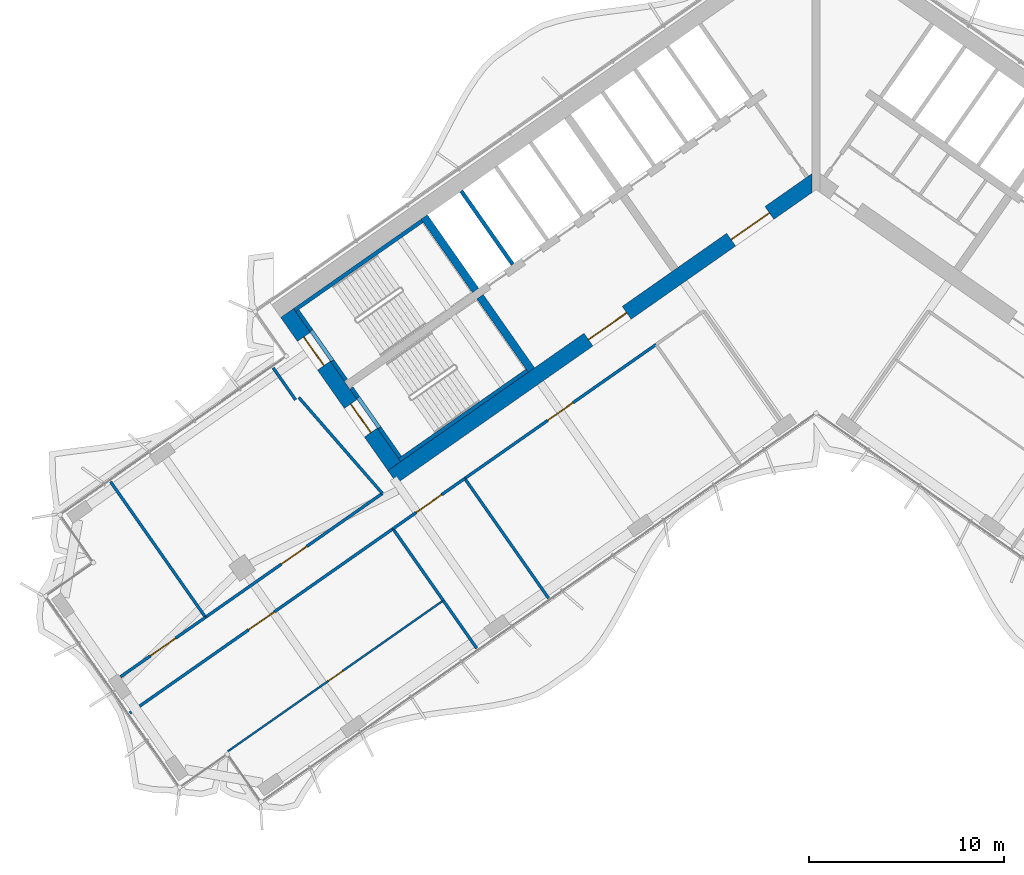
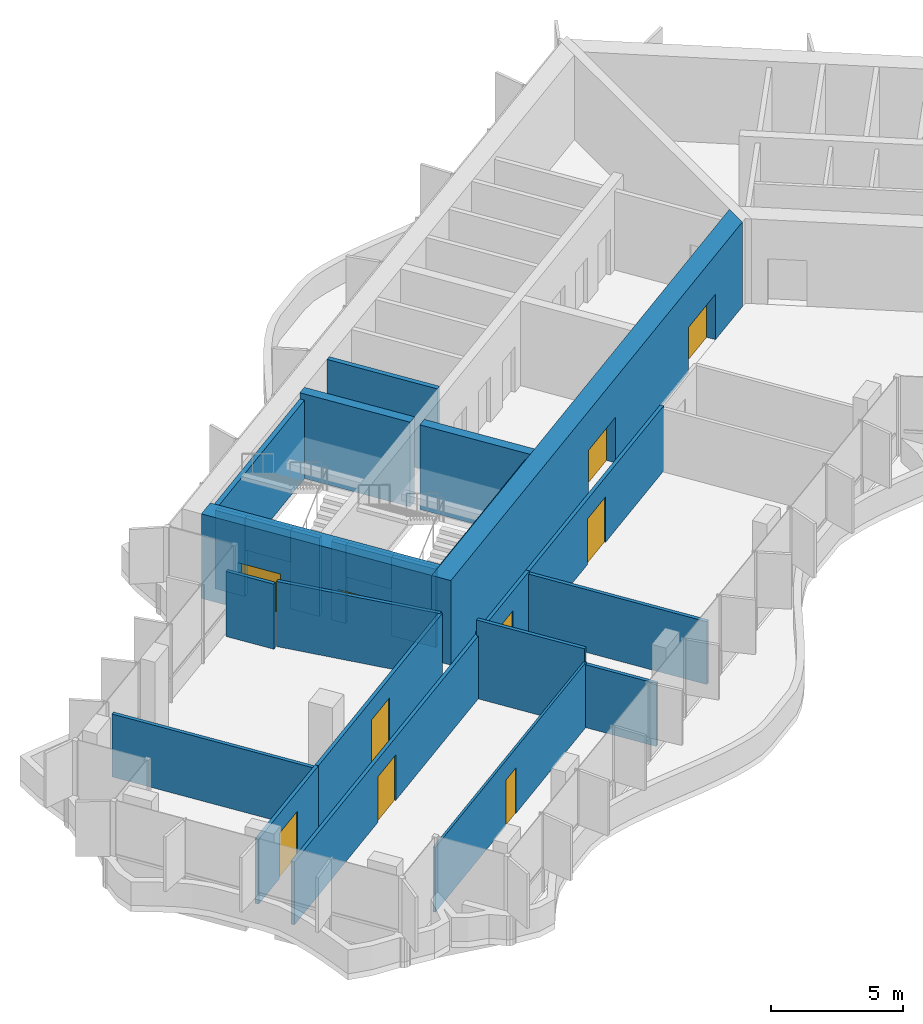
# One storey, part 12 of 21: 25 walls, 10 doors, 10 openings.
"""IFC4 building model written with IfcOpenShell, lengths in metres."""

from ifc_helpers import new_model, si_unit, direction, frame, frame_2d, origin, place, context, subcontext, project, spatial, polyline, rectangle, outline, extrude, material, layer, layer_set, type_object, element, fill, save


model = new_model("IFC4")

# Units and contexts
model_context = context("Model", 3, precision=1e-05, world=origin(), true_north=direction((0.0, 1.0)))
body_context = subcontext(model_context, "Body", "Model", "MODEL_VIEW")
ifc_project = project(units=[si_unit("LENGTHUNIT", "METRE"), si_unit("AREAUNIT", "SQUARE_METRE"), si_unit("VOLUMEUNIT", "CUBIC_METRE"), si_unit("PLANEANGLEUNIT", "RADIAN"), si_unit("MASSUNIT", "GRAM", prefix="KILO")], contexts=[model_context])

# Site, building, storey
site_placement = place(None, origin())
site = spatial("IfcSite", under=ifc_project, at=site_placement, CompositionType="ELEMENT")
building_placement = place(site_placement, origin())
building = spatial("IfcBuilding", under=site, at=building_placement, Name="Tel Ilan Convention Tower", CompositionType="ELEMENT")
storey_placement = place(building_placement, frame((0.0, 0.0, 147.60009765625)))
storey = spatial("IfcBuildingStorey", under=building, at=storey_placement, Name="L33", CompositionType="ELEMENT", Elevation=147.60009765625)

# Walls
ifc_material_1 = material(Name="Concrete C50/60", Category="concrete")
ifc_layer_1 = layer(ifc_material_1, 0.39990234375)
ifc_layer_set_1 = layer_set([ifc_layer_1], Name="Core Shear Wall 400 mm C50/60")
wall_type_1 = type_object("IfcWallType", Name="Core Shear Wall 400 mm C50/60", PredefinedType="SHEAR", material=ifc_layer_set_1)
wall_1_placement = place(storey_placement, frame((-14.6298828125, -10.48828125, 0.0), z_axis=(0.0, 0.0, 1.0), x_axis=(-0.573611936273, 0.819127185829, 0.0)))
element("IfcWall", 1, at=wall_1_placement, inside=storey, type_object=wall_type_1, Name="L33 core wall W-cross2-1", PredefinedType="SHEAR", context=body_context, shape_type="SweptSolid", body=[
    extrude(outline(polyline([(4.60009765625, 0.199951171875), (0.000244140625, 0.2001953125), (0.000244140625, -0.199951171875), (4.60009765625, -0.2001953125), (4.60009765625, 0.199951171875)])), origin(), (0.0, 0.0, 1.0), 3.89990234375),
])
wall_2_placement = place(storey_placement, frame((-17.497802734375, -6.392333984375, 0.0), z_axis=(0.0, 0.0, 1.0), x_axis=(-0.573611936273, 0.819127185829, 0.0)))
element("IfcWall", 2, at=wall_2_placement, inside=storey, type_object=wall_type_1, Name="L33 core wall W-cross2-2", PredefinedType="SHEAR", context=body_context, shape_type="SweptSolid", body=[
    extrude(outline(polyline([(4.599853515625, -0.2001953125), (4.599853515625, 0.199951171875), (0.0, 0.2001953125), (0.0, -0.199951171875), (4.599853515625, -0.2001953125)])), origin(), (0.0, 0.0, 1.0), 3.89990234375),
])

# Wall, openings, doors
ifc_material_2 = material(Name="Concrete C50/60", Category="concrete")
ifc_layer_2 = layer(ifc_material_2, 0.800048828125)
ifc_layer_set_2 = layer_set([ifc_layer_2], Name="Core Shear Wall 800 mm C50/60")
wall_type_2 = type_object("IfcWallType", Name="Core Shear Wall 800 mm C50/60", PredefinedType="SHEAR", material=ifc_layer_set_2)
wall_3_placement = place(storey_placement, frame((0.029296875, -0.7119140625, 0.0), z_axis=(0.0, 0.0, 1.0), x_axis=(-0.819151758019, -0.573576845187, 0.0)))
wall_3 = element("IfcWall", 3, at=wall_3_placement, inside=storey, type_object=wall_type_2, Name="L33 core wall W-front", PredefinedType="SHEAR", context=body_context, shape_type="SweptSolid", body=[
    extrude(outline(polyline([(26.61572265625, 0.39990234375), (0.56005859375, 0.39990234375), (-0.000244140625, -0.39990234375), (26.61572265625, -0.39990234375), (26.61572265625, 0.39990234375)])), origin(), (0.0, 0.0, 1.0), 3.89990234375),
])
opening_1_placement = place(wall_3_placement, frame((2.9658203125, 0.0, 0.0)))
opening_1 = element("IfcOpeningElement", 4, at=opening_1_placement, cuts=wall_3, Name="Opening CD2705", PredefinedType="OPENING", context=body_context, shape_type="SweptSolid", body=[
    extrude(rectangle(XDim=2.39990234375, YDim=2.10009765625, at=frame_2d((1.199951171875, 1.050048828125))), frame((0.0, 0.409912109375, 0.0), z_axis=(0.0, -1.0, 0.0), x_axis=(1.0, 0.0, 0.0)), (0.0, 0.0, 1.0), 0.820068359375),
])
opening_2_placement = place(wall_3_placement, frame((11.915771484375, 0.0, 0.0)))
opening_2 = element("IfcOpeningElement", 5, at=opening_2_placement, cuts=wall_3, Name="Opening CD2706", PredefinedType="OPENING", context=body_context, shape_type="SweptSolid", body=[
    extrude(rectangle(XDim=2.39990234375, YDim=2.10009765625, at=frame_2d((1.199951171875, 1.050048828125))), frame((0.0, 0.409912109375, 0.0), z_axis=(0.0, -1.0, 0.0), x_axis=(1.0, 0.0, 0.0)), (0.0, 0.0, 1.0), 0.820068359375),
])
ifc_material_3 = material(Name="Glazed Aluminium Door Leaf", Category="aluminium")
door_type_1 = type_object("IfcDoorType", Name="Lobby Opening Door 2400 x 2100 FD60S", OperationType="NOTDEFINED", PredefinedType="DOOR", material=ifc_material_3)
door_1_placement = place(opening_1_placement, origin())
door_1 = element("IfcDoor", 6, at=door_1_placement, inside=storey, type_object=door_type_1, Name="Lift Lobby LR1-LR4 opening", OperationType="DOUBLE_DOOR_SINGLE_SWING", OverallHeight=2.10009765625, OverallWidth=2.39990234375, PredefinedType="DOOR", context=body_context, shape_type="SweptSolid", body=[
    extrude(rectangle(XDim=2.39990234375, YDim=2.10009765625, at=frame_2d((1.199951171875, 1.050048828125))), frame((0.0, 0.02490234375, 0.0), z_axis=(0.0, -1.0, 0.0), x_axis=(1.0, 0.0, 0.0)), (0.0, 0.0, 1.0), 0.050048828125),
])
fill(opening_1, door_1)
door_2_placement = place(opening_2_placement, origin())
door_2 = element("IfcDoor", 7, at=door_2_placement, inside=storey, type_object=door_type_1, Name="Lift Lobby LR5-LR8 opening", OperationType="DOUBLE_DOOR_SINGLE_SWING", OverallHeight=2.10009765625, OverallWidth=2.39990234375, PredefinedType="DOOR", context=body_context, shape_type="SweptSolid", body=[
    extrude(rectangle(XDim=2.39990234375, YDim=2.10009765625, at=frame_2d((1.199951171875, 1.050048828125))), frame((0.0, 0.02490234375, 0.0), z_axis=(0.0, -1.0, 0.0), x_axis=(1.0, 0.0, 0.0)), (0.0, 0.0, 1.0), 0.050048828125),
])
fill(opening_2, door_2)

wall_4_placement = place(storey_placement, frame((-21.6748046875, -15.4208984375, 0.0), z_axis=(0.0, 0.0, 1.0), x_axis=(-0.573581815061, 0.819148278049, 0.0)))
wall_4 = element("IfcWall", 8, at=wall_4_placement, inside=storey, type_object=wall_type_2, Name="L33 core wall W-end", PredefinedType="SHEAR", context=body_context, shape_type="SweptSolid", body=[
    extrude(outline(polyline([(0.0, 0.39990234375), (0.0, -0.39990234375), (9.599853515625, -0.400146484375), (9.599853515625, 0.39990234375), (0.0, 0.39990234375)])), origin(), (0.0, 0.0, 1.0), 3.89990234375),
])
opening_3_placement = place(wall_4_placement, frame((6.300048828125, 0.0, 0.0)))
opening_3 = element("IfcOpeningElement", 9, at=opening_3_placement, cuts=wall_4, Name="Opening SD2701", PredefinedType="OPENING", context=body_context, shape_type="SweptSolid", body=[
    extrude(rectangle(XDim=1.800048828125, YDim=2.10009765625, at=frame_2d((0.89990234375, 1.050048828125))), frame((0.0, 0.409912109375, 0.0), z_axis=(0.0, -1.0, 0.0), x_axis=(1.0, 0.0, 0.0)), (0.0, 0.0, 1.0), 0.820068359375),
])
opening_4_placement = place(wall_4_placement, frame((2.10009765625, 0.0, 0.0)))
opening_4 = element("IfcOpeningElement", 10, at=opening_4_placement, cuts=wall_4, Name="Opening SD2702", PredefinedType="OPENING", context=body_context, shape_type="SweptSolid", body=[
    extrude(rectangle(XDim=1.800048828125, YDim=2.10009765625, at=frame_2d((0.89990234375, 1.050048828125))), frame((0.0, 0.409912109375, 0.0), z_axis=(0.0, -1.0, 0.0), x_axis=(1.0, 0.0, 0.0)), (0.0, 0.0, 1.0), 0.820068359375),
])
ifc_material_4 = material(Name="Galvanised Steel Door Leaf", Category="steel")
door_type_2 = type_object("IfcDoorType", Name="Stair Fire Door 1800 x 2100 FD60S", OperationType="NOTDEFINED", PredefinedType="DOOR", material=ifc_material_4)
door_3_placement = place(opening_3_placement, origin())
door_3 = element("IfcDoor", 11, at=door_3_placement, inside=storey, type_object=door_type_2, Name="Stair S1 door", OperationType="DOUBLE_DOOR_SINGLE_SWING", OverallHeight=2.10009765625, OverallWidth=1.800048828125, PredefinedType="DOOR", context=body_context, shape_type="SweptSolid", body=[
    extrude(rectangle(XDim=1.800048828125, YDim=2.10009765625, at=frame_2d((0.89990234375, 1.050048828125))), frame((0.0, 0.02490234375, 0.0), z_axis=(0.0, -1.0, 0.0), x_axis=(1.0, 0.0, 0.0)), (0.0, 0.0, 1.0), 0.050048828125),
])
fill(opening_3, door_3)
door_4_placement = place(opening_4_placement, origin())
door_4 = element("IfcDoor", 12, at=door_4_placement, inside=storey, type_object=door_type_2, Name="Stair S2 door", OperationType="DOUBLE_DOOR_SINGLE_SWING", OverallHeight=2.10009765625, OverallWidth=1.800048828125, PredefinedType="DOOR", context=body_context, shape_type="SweptSolid", body=[
    extrude(rectangle(XDim=1.800048828125, YDim=2.10009765625, at=frame_2d((0.89990234375, 1.050048828125))), frame((0.0, 0.02490234375, 0.0), z_axis=(0.0, -1.0, 0.0), x_axis=(1.0, 0.0, 0.0)), (0.0, 0.0, 1.0), 0.050048828125),
])
fill(opening_4, door_4)

# Wall, opening, door
ifc_material_5 = material(Name="Plasterboard on Steel Studs", Category="steel")
ifc_layer_3 = layer(ifc_material_5, 0.14990234375)
ifc_layer_set_3 = layer_set([ifc_layer_3], Name="Fire-rated Partition 150 EI 60")
wall_type_3 = type_object("IfcWallType", Name="Fire-rated Partition 150 EI 60", PredefinedType="PARTITIONING", material=ifc_layer_set_3)
wall_5_placement = place(storey_placement, frame((-31.37451171875, -23.190185546875, 0.0), z_axis=(0.0, 0.0, 1.0), x_axis=(0.819152339004, 0.573576015455, 0.0)))
wall_5 = element("IfcWall", 13, at=wall_5_placement, inside=storey, type_object=wall_type_3, Name="Partition 006", PredefinedType="PARTITIONING", context=body_context, shape_type="SweptSolid", body=[
    extrude(rectangle(XDim=11.0986328125, YDim=0.14990234375, at=frame_2d((5.54931640625, 0.0))), origin(), (0.0, 0.0, 1.0), 3.0),
])
opening_5_placement = place(wall_5_placement, frame((4.74951171875, 0.0, 0.0)))
opening_5 = element("IfcOpeningElement", 14, at=opening_5_placement, cuts=wall_5, Name="Opening L33-006", PredefinedType="OPENING", context=body_context, shape_type="SweptSolid", body=[
    extrude(rectangle(XDim=1.60009765625, YDim=2.10009765625, at=frame_2d((0.800048828125, 1.050048828125))), frame((0.0, 0.0849609375, 0.0), z_axis=(0.0, -1.0, 0.0), x_axis=(1.0, 0.0, 0.0)), (0.0, 0.0, 1.0), 0.169921875),
])
ifc_material_6 = material(Name="Timber Door Leaf in Steel Frame", Category="steel")
door_type_3 = type_object("IfcDoorType", Name="Tenant Suite Entrance Fire Door 1600x2100", OperationType="NOTDEFINED", PredefinedType="DOOR", material=ifc_material_6)
door_5_placement = place(opening_5_placement, origin())
door_5 = element("IfcDoor", 15, at=door_5_placement, inside=storey, type_object=door_type_3, Name="Door L33-006", OperationType="DOUBLE_DOOR_SINGLE_SWING", OverallHeight=2.10009765625, OverallWidth=1.60009765625, PredefinedType="DOOR", context=body_context, shape_type="SweptSolid", body=[
    extrude(rectangle(XDim=1.60009765625, YDim=2.10009765625, at=frame_2d((0.800048828125, 1.050048828125))), frame((0.0, 0.02490234375, 0.0), z_axis=(0.0, -1.0, 0.0), x_axis=(1.0, 0.0, 0.0)), (0.0, 0.0, 1.0), 0.050048828125),
])
fill(opening_5, door_5)

wall_6_placement = place(storey_placement, frame((-35.739013671875, -26.24658203125, 0.0), z_axis=(0.0, 0.0, 1.0), x_axis=(0.819145866886, 0.573585258495, 0.0)))
wall_6 = element("IfcWall", 16, at=wall_6_placement, inside=storey, type_object=wall_type_3, Name="Partition 007", PredefinedType="PARTITIONING", context=body_context, shape_type="SweptSolid", body=[
    extrude(rectangle(XDim=5.33203125, YDim=0.14990234375, at=frame_2d((2.666015625, 0.0))), origin(), (0.0, 0.0, 1.0), 3.0),
])
opening_6_placement = place(wall_6_placement, frame((1.865966796875, 0.0, 0.0)))
opening_6 = element("IfcOpeningElement", 17, at=opening_6_placement, cuts=wall_6, Name="Opening L33-007", PredefinedType="OPENING", context=body_context, shape_type="SweptSolid", body=[
    extrude(rectangle(XDim=1.60009765625, YDim=2.10009765625, at=frame_2d((0.800048828125, 1.050048828125))), frame((0.0, 0.0849609375, 0.0), z_axis=(0.0, -1.0, 0.0), x_axis=(1.0, 0.0, 0.0)), (0.0, 0.0, 1.0), 0.169921875),
])
door_6_placement = place(opening_6_placement, origin())
door_6 = element("IfcDoor", 18, at=door_6_placement, inside=storey, type_object=door_type_3, Name="Door L33-007", OperationType="DOUBLE_DOOR_SINGLE_SWING", OverallHeight=2.10009765625, OverallWidth=1.60009765625, PredefinedType="DOOR", context=body_context, shape_type="SweptSolid", body=[
    extrude(rectangle(XDim=1.60009765625, YDim=2.10009765625, at=frame_2d((0.800048828125, 1.050048828125))), frame((0.0, 0.02490234375, 0.0), z_axis=(0.0, -1.0, 0.0), x_axis=(1.0, 0.0, 0.0)), (0.0, 0.0, 1.0), 0.050048828125),
])
fill(opening_6, door_6)

wall_7_placement = place(storey_placement, frame((-8.22216796875, -9.17529296875, 0.0), z_axis=(0.0, 0.0, 1.0), x_axis=(-0.819154519377, -0.573572901543, 0.0)))
wall_7 = element("IfcWall", 19, at=wall_7_placement, inside=storey, type_object=wall_type_3, Name="Partition 009", PredefinedType="PARTITIONING", context=body_context, shape_type="SweptSolid", body=[
    extrude(rectangle(XDim=12.004150390625, YDim=0.14990234375, at=frame_2d((6.001953125, 0.0))), origin(), (0.0, 0.0, 1.0), 3.0),
])
opening_7_placement = place(wall_7_placement, frame((5.201904296875, 0.0, 0.0)))
opening_7 = element("IfcOpeningElement", 20, at=opening_7_placement, cuts=wall_7, Name="Opening L33-002", PredefinedType="OPENING", context=body_context, shape_type="SweptSolid", body=[
    extrude(rectangle(XDim=1.60009765625, YDim=2.10009765625, at=frame_2d((0.800048828125, 1.050048828125))), frame((0.0, 0.0849609375, 0.0), z_axis=(0.0, -1.0, 0.0), x_axis=(1.0, 0.0, 0.0)), (0.0, 0.0, 1.0), 0.169921875),
])
door_7_placement = place(opening_7_placement, origin())
door_7 = element("IfcDoor", 21, at=door_7_placement, inside=storey, type_object=door_type_3, Name="Door L33-002", OperationType="DOUBLE_DOOR_SINGLE_SWING", OverallHeight=2.10009765625, OverallWidth=1.60009765625, PredefinedType="DOOR", context=body_context, shape_type="SweptSolid", body=[
    extrude(rectangle(XDim=1.60009765625, YDim=2.10009765625, at=frame_2d((0.800048828125, 1.050048828125))), frame((0.0, 0.02490234375, 0.0), z_axis=(0.0, -1.0, 0.0), x_axis=(1.0, 0.0, 0.0)), (0.0, 0.0, 1.0), 0.050048828125),
])
fill(opening_7, door_7)

wall_8_placement = place(storey_placement, frame((-18.052001953125, -16.058349609375, 0.0), z_axis=(0.0, 0.0, 1.0), x_axis=(-0.819165703328, -0.573556928727, 0.0)))
wall_8 = element("IfcWall", 22, at=wall_8_placement, inside=storey, type_object=wall_type_3, Name="Partition 010", PredefinedType="PARTITIONING", context=body_context, shape_type="SweptSolid", body=[
    extrude(rectangle(XDim=4.50390625, YDim=0.14990234375, at=frame_2d((2.251953125, 0.0))), origin(), (0.0, 0.0, 1.0), 3.0),
])
opening_8_placement = place(wall_8_placement, frame((1.451904296875, 0.0, 0.0)))
opening_8 = element("IfcOpeningElement", 23, at=opening_8_placement, cuts=wall_8, Name="Opening L33-003", PredefinedType="OPENING", context=body_context, shape_type="SweptSolid", body=[
    extrude(rectangle(XDim=1.60009765625, YDim=2.10009765625, at=frame_2d((0.800048828125, 1.050048828125))), frame((0.0, 0.0849609375, 0.0), z_axis=(0.0, -1.0, 0.0), x_axis=(1.0, 0.0, 0.0)), (0.0, 0.0, 1.0), 0.169921875),
])
door_8_placement = place(opening_8_placement, origin())
door_8 = element("IfcDoor", 24, at=door_8_placement, inside=storey, type_object=door_type_3, Name="Door L33-003", OperationType="DOUBLE_DOOR_SINGLE_SWING", OverallHeight=2.10009765625, OverallWidth=1.60009765625, PredefinedType="DOOR", context=body_context, shape_type="SweptSolid", body=[
    extrude(rectangle(XDim=1.60009765625, YDim=2.10009765625, at=frame_2d((0.800048828125, 1.050048828125))), frame((0.0, 0.02490234375, 0.0), z_axis=(0.0, -1.0, 0.0), x_axis=(1.0, 0.0, 0.0)), (0.0, 0.0, 1.0), 0.050048828125),
])
fill(opening_8, door_8)

wall_9_placement = place(storey_placement, frame((-21.73828125, -18.639404296875, 0.0), z_axis=(0.0, 0.0, 1.0), x_axis=(-0.819152676681, -0.573575533201, 0.0)))
wall_9 = element("IfcWall", 25, at=wall_9_placement, inside=storey, type_object=wall_type_3, Name="Partition 011", PredefinedType="PARTITIONING", context=body_context, shape_type="SweptSolid", body=[
    extrude(rectangle(XDim=16.501953125, YDim=0.14990234375, at=frame_2d((8.2509765625, 0.0))), origin(), (0.0, 0.0, 1.0), 2.89990234375),
])
opening_9_placement = place(wall_9_placement, frame((7.450927734375, 0.0, 0.0)))
opening_9 = element("IfcOpeningElement", 26, at=opening_9_placement, cuts=wall_9, Name="Opening L33-004", PredefinedType="OPENING", context=body_context, shape_type="SweptSolid", body=[
    extrude(rectangle(XDim=1.60009765625, YDim=2.10009765625, at=frame_2d((0.800048828125, 1.050048828125))), frame((0.0, 0.0849609375, 0.0), z_axis=(0.0, -1.0, 0.0), x_axis=(1.0, 0.0, 0.0)), (0.0, 0.0, 1.0), 0.169921875),
])
door_9_placement = place(opening_9_placement, origin())
door_9 = element("IfcDoor", 27, at=door_9_placement, inside=storey, type_object=door_type_3, Name="Door L33-004", OperationType="DOUBLE_DOOR_SINGLE_SWING", OverallHeight=2.10009765625, OverallWidth=1.60009765625, PredefinedType="DOOR", context=body_context, shape_type="SweptSolid", body=[
    extrude(rectangle(XDim=1.60009765625, YDim=2.10009765625, at=frame_2d((0.800048828125, 1.050048828125))), frame((0.0, 0.02490234375, 0.0), z_axis=(0.0, -1.0, 0.0), x_axis=(1.0, 0.0, 0.0)), (0.0, 0.0, 1.0), 0.050048828125),
])
fill(opening_9, door_9)

# Walls
wall_10_placement = place(storey_placement, frame((-26.74609375, -12.013671875, 0.0), z_axis=(0.0, 0.0, 1.0), x_axis=(-0.573568836472, 0.819157365729, 0.0)))
element("IfcWall", 28, at=wall_10_placement, inside=storey, type_object=wall_type_3, Name="Partition 030", PredefinedType="PARTITIONING", context=body_context, shape_type="SweptSolid", body=[
    extrude(rectangle(XDim=2.000244140625, YDim=0.14990234375, at=frame_2d((1.0, 0.0))), origin(), (0.0, 0.0, 1.0), 3.0),
])
wall_11_placement = place(storey_placement, frame((-22.28369140625, -16.826416015625, 0.0), z_axis=(0.0, 0.0, 1.0), x_axis=(-0.656758142177, 0.754101281449, 0.0)))
element("IfcWall", 29, at=wall_11_placement, inside=storey, type_object=wall_type_3, Name="Partition 031", PredefinedType="PARTITIONING", context=body_context, shape_type="SweptSolid", body=[
    extrude(rectangle(XDim=6.53857421875, YDim=0.14990234375, at=frame_2d((3.269287109375, 0.0))), origin(), (0.0, 0.0, 1.0), 3.0),
])
wall_12_placement = place(storey_placement, frame((-31.373291015625, -23.188720703125, 0.0), z_axis=(0.0, 0.0, 1.0), x_axis=(-0.57357799764, 0.819150951061, 0.0)))
element("IfcWall", 30, at=wall_12_placement, inside=storey, type_object=wall_type_3, Name="Partition 032", PredefinedType="PARTITIONING", context=body_context, shape_type="SweptSolid", body=[
    extrude(rectangle(XDim=8.500244140625, YDim=0.14990234375, at=frame_2d((4.25, 0.0))), origin(), (0.0, 0.0, 1.0), 2.89990234375),
])
wall_13_placement = place(storey_placement, frame((-13.751708984375, -22.203125, 0.0), z_axis=(0.0, 0.0, 1.0), x_axis=(-0.573597787563, 0.819137093595, 0.0)))
element("IfcWall", 31, at=wall_13_placement, inside=storey, type_object=wall_type_3, Name="Partition 034", PredefinedType="PARTITIONING", context=body_context, shape_type="SweptSolid", body=[
    extrude(rectangle(XDim=7.5, YDim=0.14990234375, at=frame_2d((3.75, 0.0))), origin(), (0.0, 0.0, 1.0), 2.89990234375),
])
wall_14_placement = place(storey_placement, frame((-17.43798828125, -24.7841796875, 0.0), z_axis=(0.0, 0.0, 1.0), x_axis=(-0.573555162214, 0.819166940189, 0.0)))
element("IfcWall", 32, at=wall_14_placement, inside=storey, type_object=wall_type_3, Name="Partition 035", PredefinedType="PARTITIONING", context=body_context, shape_type="SweptSolid", body=[
    extrude(rectangle(XDim=3.0009765625, YDim=0.14990234375, at=frame_2d((1.50048828125, 0.0))), origin(), (0.0, 0.0, 1.0), 2.89990234375),
])
wall_15_placement = place(storey_placement, frame((-19.15771484375, -22.328369140625, 0.0), z_axis=(0.0, 0.0, 1.0), x_axis=(-0.573553333433, 0.819168220641, 0.0)))
element("IfcWall", 33, at=wall_15_placement, inside=storey, type_object=wall_type_3, Name="Partition 036", PredefinedType="PARTITIONING", context=body_context, shape_type="SweptSolid", body=[
    extrude(rectangle(XDim=4.501708984375, YDim=0.14990234375, at=frame_2d((2.2509765625, 0.0))), origin(), (0.0, 0.0, 1.0), 3.619873046875),
])
ifc_material_7 = material(Name="Concrete C30/37", Category="concrete")
ifc_layer_4 = layer(ifc_material_7, 0.199951171875)
ifc_layer_set_4 = layer_set([ifc_layer_4], Name="Lift Shaft Wall 200 mm C30/37")
wall_type_4 = type_object("IfcWallType", Name="Lift Shaft Wall 200 mm C30/37", PredefinedType="SOLIDWALL", material=ifc_layer_set_4)
wall_16_placement = place(storey_placement, frame((-15.593505859375, -5.058837890625, 0.0), z_axis=(0.0, 0.0, 1.0), x_axis=(-0.573540709186, 0.819177059558, 0.0)))
element("IfcWall", 34, at=wall_16_placement, inside=storey, type_object=wall_type_4, Name="L33 core wall bank-W2-p2", PredefinedType="SOLIDWALL", context=body_context, shape_type="SweptSolid", body=[
    extrude(rectangle(XDim=4.599853515625, YDim=0.199951171875, at=frame_2d((2.2998046875, 0.0))), origin(), (0.0, 0.0, 1.0), 3.89990234375),
])

# Wall, opening, door
ifc_material_8 = material(Name="Plasterboard on Steel Studs", Category="steel")
ifc_layer_5 = layer(ifc_material_8, 0.10009765625)
ifc_layer_set_5 = layer_set([ifc_layer_5], Name="Plasterboard Partition 100")
wall_type_5 = type_object("IfcWallType", Name="Plasterboard Partition 100", PredefinedType="PARTITIONING", material=ifc_layer_set_5)
wall_17_placement = place(storey_placement, frame((-19.158203125, -22.32763671875, 0.0), z_axis=(0.0, 0.0, 1.0), x_axis=(-0.819157147957, -0.573569147488, 0.0)))
wall_17 = element("IfcWall", 35, at=wall_17_placement, inside=storey, type_object=wall_type_5, Name="Partition 037", PredefinedType="PARTITIONING", context=body_context, shape_type="SweptSolid", body=[
    extrude(rectangle(XDim=13.5, YDim=0.10009765625, at=frame_2d((6.75, 0.0))), origin(), (0.0, 0.0, 1.0), 3.0),
])
opening_10_placement = place(wall_17_placement, frame((6.300048828125, 0.0, 0.0)))
opening_10 = element("IfcOpeningElement", 36, at=opening_10_placement, cuts=wall_17, Name="Opening L33-005", PredefinedType="OPENING", context=body_context, shape_type="SweptSolid", body=[
    extrude(rectangle(XDim=0.89990234375, YDim=2.10009765625, at=frame_2d((0.449951171875, 1.050048828125))), frame((0.0, 0.06005859375, 0.0), z_axis=(0.0, -1.0, 0.0), x_axis=(1.0, 0.0, 0.0)), (0.0, 0.0, 1.0), 0.1201171875),
])
ifc_material_9 = material(Name="Timber Door Leaf in Steel Frame", Category="steel")
door_type_4 = type_object("IfcDoorType", Name="Room Timber Door 900x2100", OperationType="NOTDEFINED", PredefinedType="DOOR", material=ifc_material_9)
door_10_placement = place(opening_10_placement, origin())
door_10 = element("IfcDoor", 37, at=door_10_placement, inside=storey, type_object=door_type_4, Name="Door L33-005", OperationType="SINGLE_SWING_LEFT", OverallHeight=2.10009765625, OverallWidth=0.89990234375, PredefinedType="DOOR", context=body_context, shape_type="SweptSolid", body=[
    extrude(rectangle(XDim=0.89990234375, YDim=2.10009765625, at=frame_2d((0.449951171875, 1.050048828125))), frame((0.0, 0.02490234375, 0.0), z_axis=(0.0, -1.0, 0.0), x_axis=(1.0, 0.0, 0.0)), (0.0, 0.0, 1.0), 0.050048828125),
])
fill(opening_10, door_10)

# Walls
ifc_material_10 = material(Name="Concrete C30/37", Category="concrete")
ifc_layer_6 = layer(ifc_material_10, 0.199951171875)
ifc_layer_set_6 = layer_set([ifc_layer_6], Name="Stair and Shaft Lining Wall 200 mm C30/37")
wall_type_6 = type_object("IfcWallType", Name="Stair and Shaft Lining Wall 200 mm C30/37", PredefinedType="SOLIDWALL", material=ifc_layer_set_6)
wall_18_placement = place(storey_placement, frame((-20.242919921875, -2.821044921875, 0.0), z_axis=(0.0, 0.0, 1.0), x_axis=(-0.819141584393, -0.57359137434, 0.0)))
element("IfcWall", 38, at=wall_18_placement, inside=storey, type_object=wall_type_6, Name="L33 core wall lining-S1-t1", PredefinedType="SOLIDWALL", context=body_context, shape_type="SweptSolid", body=[
    extrude(rectangle(XDim=7.999755859375, YDim=0.199951171875, at=frame_2d((4.0, 0.0))), origin(), (0.0, 0.0, 1.0), 3.619873046875),
])
wall_19_placement = place(storey_placement, frame((-24.16162109375, -10.99755859375, 0.0), z_axis=(0.0, 0.0, 1.0), x_axis=(-0.573612502218, 0.819126789514, 0.0)))
element("IfcWall", 39, at=wall_19_placement, inside=storey, type_object=wall_type_6, Name="L33 core wall lining-S1-u1-0", PredefinedType="SOLIDWALL", context=body_context, shape_type="SweptSolid", body=[
    extrude(rectangle(XDim=1.2001953125, YDim=0.199951171875, at=frame_2d((0.60009765625, 0.0))), origin(), (0.0, 0.0, 1.0), 3.619873046875),
])
wall_20_placement = place(storey_placement, frame((-25.939697265625, -8.4580078125, 0.0), z_axis=(0.0, 0.0, 1.0), x_axis=(-0.573619628835, 0.819121798889, 0.0)))
element("IfcWall", 40, at=wall_20_placement, inside=storey, type_object=wall_type_6, Name="L33 core wall lining-S1-u1-1", PredefinedType="SOLIDWALL", context=body_context, shape_type="SweptSolid", body=[
    extrude(rectangle(XDim=1.25, YDim=0.199951171875, at=frame_2d((0.625, 0.0))), origin(), (0.0, 0.0, 1.0), 3.619873046875),
])
wall_21_placement = place(storey_placement, frame((-24.85009765625, -10.014404296875, 2.14990234375), z_axis=(0.0, 0.0, 1.0), x_axis=(-0.573505465124, 0.819201734296, 0.0)))
element("IfcWall", 41, at=wall_21_placement, inside=storey, type_object=wall_type_6, Name="L33 core wall lining-S1-u1-lintel", PredefinedType="SOLIDWALL", context=body_context, shape_type="SweptSolid", body=[
    extrude(rectangle(XDim=1.89990234375, YDim=0.199951171875, at=frame_2d((0.949951171875, 0.0))), origin(), (0.0, 0.0, 1.0), 1.469970703125),
])
wall_22_placement = place(storey_placement, frame((-14.851318359375, -10.52099609375, 0.0), z_axis=(0.0, 0.0, 1.0), x_axis=(-0.819141584393, -0.57359137434, 0.0)))
element("IfcWall", 42, at=wall_22_placement, inside=storey, type_object=wall_type_6, Name="L33 core wall lining-S2-t0", PredefinedType="SOLIDWALL", context=body_context, shape_type="SweptSolid", body=[
    extrude(rectangle(XDim=7.999755859375, YDim=0.199951171875, at=frame_2d((4.0, 0.0))), origin(), (0.0, 0.0, 1.0), 3.619873046875),
])
wall_23_placement = place(storey_placement, frame((-21.3798828125, -14.97021484375, 0.0), z_axis=(0.0, 0.0, 1.0), x_axis=(-0.573559770908, 0.819163713305, 0.0)))
element("IfcWall", 43, at=wall_23_placement, inside=storey, type_object=wall_type_6, Name="L33 core wall lining-S2-u1-0", PredefinedType="SOLIDWALL", context=body_context, shape_type="SweptSolid", body=[
    extrude(rectangle(XDim=1.849853515625, YDim=0.199951171875, at=frame_2d((0.9248046875, 0.0))), origin(), (0.0, 0.0, 1.0), 3.619873046875),
])
wall_24_placement = place(storey_placement, frame((-23.53076171875, -11.8984375, 0.0), z_axis=(0.0, 0.0, 1.0), x_axis=(-0.573708088123, 0.819059844958, 0.0)))
element("IfcWall", 44, at=wall_24_placement, inside=storey, type_object=wall_type_6, Name="L33 core wall lining-S2-u1-1", PredefinedType="SOLIDWALL", context=body_context, shape_type="SweptSolid", body=[
    extrude(rectangle(XDim=0.60009765625, YDim=0.199951171875, at=frame_2d((0.300048828125, 0.0))), origin(), (0.0, 0.0, 1.0), 3.619873046875),
])
wall_25_placement = place(storey_placement, frame((-22.44091796875, -13.454833984375, 2.14990234375), z_axis=(0.0, 0.0, 1.0), x_axis=(-0.573591692345, 0.819141361715, 0.0)))
element("IfcWall", 45, at=wall_25_placement, inside=storey, type_object=wall_type_6, Name="L33 core wall lining-S2-u1-lintel", PredefinedType="SOLIDWALL", context=body_context, shape_type="SweptSolid", body=[
    extrude(rectangle(XDim=1.900146484375, YDim=0.199951171875, at=frame_2d((0.9501953125, 0.0))), origin(), (0.0, 0.0, 1.0), 1.469970703125),
])

save(model, "model.ifc")
